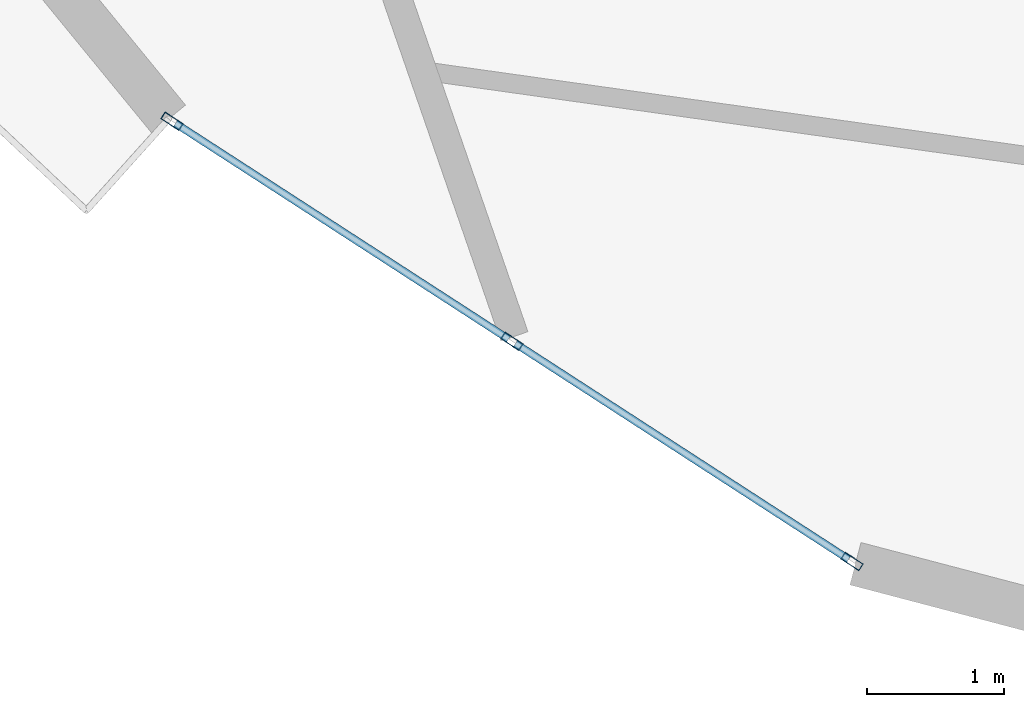
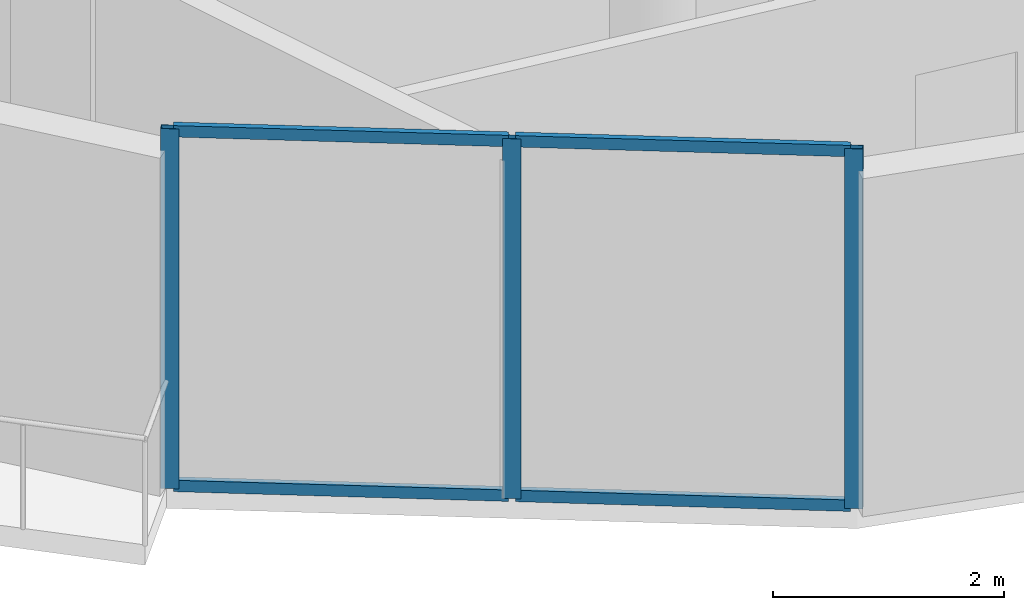
# One storey, part 2 of 17: 7 members, 1 element without a shape of its own.
"""IFC4 building model written with IfcOpenShell, lengths in metres."""

import ifcopenshell
import ifcopenshell.guid

model = None  # the IFC model being written
_history = None  # IfcOwnerHistory: only IFC2X3 demands one
_inside = {}  # id of a spatial element -> (the spatial element, [elements in it])
_under = {}  # id of a project, library or spatial element -> (it, [spatial elements below it])
_declared = {}  # id of a project -> (the project, [libraries it declares])
_typed = {}  # id of a type object -> (the type object, [elements of that type])
_made_of = {}  # id of a material, layer set ... -> (it, [elements and type objects made of it])


def new_model(schema):
    """Start an empty IFC model of exactly this schema.

    Asked for "IFC4X3", IfcOpenShell would pick the latest addendum, in which some entities
    have other attributes; the version numbers below select the first issue.
    IFC2X3 requires an IfcOwnerHistory on every rooted entity: one is made here for all.
    """
    global model, _history
    if schema == "IFC4X3":
        model = ifcopenshell.file(schema_version=(4, 3, 0, 0))
    else:
        model = ifcopenshell.file(schema=schema)
    _inside.clear()
    _under.clear()
    _declared.clear()
    _typed.clear()
    _made_of.clear()
    _history = None
    if model.schema == "IFC2X3":
        org = make("IfcOrganization", Name="unknown")
        user = make(
            "IfcPersonAndOrganization",
            ThePerson=make("IfcPerson", FamilyName="unknown"),
            TheOrganization=org,
        )
        app = make(
            "IfcApplication",
            ApplicationDeveloper=org,
            Version="unknown",
            ApplicationFullName="unknown",
            ApplicationIdentifier="unknown",
        )
        _history = make(
            "IfcOwnerHistory",
            OwningUser=user,
            OwningApplication=app,
            ChangeAction="ADDED",
            CreationDate=0,
        )
    return model


def make(cls, **values):
    """One entity of the class cls with the attributes given. An attribute that is None is left unset."""
    return model.create_entity(
        cls, **{name: value for name, value in values.items() if value is not None}
    )


def rooted(cls, **values):
    """An entity with a GlobalId (a new one), such as an element, a storey or a relation."""
    return make(cls, GlobalId=ifcopenshell.guid.new(), OwnerHistory=_history, **values)


def si_unit(unit_type, name, prefix=None):
    """IfcSIUnit, for example si_unit("LENGTHUNIT", "METRE", prefix="MILLI")."""
    return make("IfcSIUnit", UnitType=unit_type, Prefix=prefix, Name=name)


def assignment(units):
    """IfcUnitAssignment: the units of a project."""
    return None if units is None else make("IfcUnitAssignment", Units=units)


def point(xyz):
    """IfcCartesianPoint."""
    return None if xyz is None else make("IfcCartesianPoint", Coordinates=xyz)


def direction(xyz):
    """IfcDirection."""
    return None if xyz is None else make("IfcDirection", DirectionRatios=xyz)


def frame(location, z_axis=None, x_axis=None):
    """IfcAxis2Placement3D, a coordinate frame: its origin and axes. An axis left out is left unset."""
    return make(
        "IfcAxis2Placement3D",
        Location=point(location),
        Axis=direction(z_axis),
        RefDirection=direction(x_axis),
    )


def frame_2d(location, x_axis=None):
    """IfcAxis2Placement2D, a coordinate frame in the plane: its origin and x axis."""
    return make(
        "IfcAxis2Placement2D", Location=point(location), RefDirection=direction(x_axis)
    )


def origin():
    """The frame at (0, 0, 0) with its axes left unset."""
    return frame((0.0, 0.0, 0.0))


def origin_2d():
    """The frame at (0, 0) in the plane with its x axis left unset."""
    return frame_2d((0.0, 0.0))


def place(relative_to, where):
    """IfcLocalPlacement: puts the frame where relative to a parent placement (None: the world)."""
    return make(
        "IfcLocalPlacement", PlacementRelTo=relative_to, RelativePlacement=where
    )


def context(
    kind, dimensions, precision=None, world=None, true_north=None, identifier=None
):
    """IfcGeometricRepresentationContext, for example the 3D "Model" context."""
    return make(
        "IfcGeometricRepresentationContext",
        ContextIdentifier=identifier,
        ContextType=kind,
        CoordinateSpaceDimension=dimensions,
        Precision=precision,
        WorldCoordinateSystem=world,
        TrueNorth=true_north,
    )


def subcontext(parent, identifier, kind, view, scale=None):
    """IfcGeometricRepresentationSubContext, for example "Body" below "Model"."""
    return make(
        "IfcGeometricRepresentationSubContext",
        ContextIdentifier=identifier,
        ContextType=kind,
        ParentContext=parent,
        TargetScale=scale,
        TargetView=view,
    )


def project(units=None, contexts=None):
    """IfcProject with its units and contexts."""
    return rooted(
        "IfcProject",
        Name="project",
        RepresentationContexts=contexts,
        UnitsInContext=assignment(units),
    )


def spatial(cls, under=None, at=None, **own):
    """A site, building, storey or space (cls), placed at a placement, below another one or the project."""
    s = rooted(cls, ObjectPlacement=at, **own)
    if under is not None:
        _under.setdefault(under.id(), (under, []))[1].append(s)
    return s


def profile(cls, at=None, kind="AREA", **sizes):
    """A parametric profile (cls). Its sizes go by their IFC names, for example OverallWidth=200.0."""
    return make(cls, ProfileType=kind, Position=at, **sizes)


def hollow_rectangle(**sizes):
    """IfcRectangleHollowProfileDef."""
    return profile("IfcRectangleHollowProfileDef", **sizes)


def extrude(swept, where, along, depth):
    """IfcExtrudedAreaSolid: the profile swept, set in the frame where, extruded along a direction by depth."""
    return make(
        "IfcExtrudedAreaSolid",
        SweptArea=swept,
        Position=where,
        ExtrudedDirection=direction(along),
        Depth=depth,
    )


def shape(context_of_items, identifier, shape_type, items):
    """IfcShapeRepresentation: the items that make up one representation, for example the "Body"."""
    return make(
        "IfcShapeRepresentation",
        ContextOfItems=context_of_items,
        RepresentationIdentifier=identifier,
        RepresentationType=shape_type,
        Items=items,
    )


def source(mapping_origin, context_of_items, identifier, shape_type, items):
    """IfcRepresentationMap: a shape defined once, which mapped items show again and again."""
    return make(
        "IfcRepresentationMap",
        MappingOrigin=mapping_origin,
        MappedRepresentation=shape(context_of_items, identifier, shape_type, items),
    )


def transform(
    local_origin,
    x_axis=None,
    y_axis=None,
    z_axis=None,
    scale=None,
    scale2=None,
    scale3=None,
    uniform=True,
):
    """IfcCartesianTransformationOperator3D, or its non-uniform kind. x_axis, y_axis, z_axis: its Axis1, 2, 3."""
    if uniform:
        return make(
            "IfcCartesianTransformationOperator3D",
            Axis1=direction(x_axis),
            Axis2=direction(y_axis),
            LocalOrigin=point(local_origin),
            Scale=scale,
            Axis3=direction(z_axis),
        )
    return make(
        "IfcCartesianTransformationOperator3DnonUniform",
        Axis1=direction(x_axis),
        Axis2=direction(y_axis),
        LocalOrigin=point(local_origin),
        Scale=scale,
        Axis3=direction(z_axis),
        Scale2=scale2,
        Scale3=scale3,
    )


def mapped(mapping_source, mapping_target):
    """IfcMappedItem: shows the shape of a source again, moved by a transform."""
    return make(
        "IfcMappedItem", MappingSource=mapping_source, MappingTarget=mapping_target
    )


def material(Name=None, Category=None):
    """IfcMaterial."""
    return make("IfcMaterial", Name=Name, Category=Category)


def layer(
    of_material, thickness, ventilated=None, Name=None, Category=None, Priority=None
):
    """IfcMaterialLayer: one layer of a wall or slab, of a material (None: an air gap)."""
    return make(
        "IfcMaterialLayer",
        Material=of_material,
        LayerThickness=thickness,
        IsVentilated=ventilated,
        Name=Name,
        Category=Category,
        Priority=Priority,
    )


def layer_set(layers, Name=None):
    """IfcMaterialLayerSet."""
    return make("IfcMaterialLayerSet", MaterialLayers=layers, LayerSetName=Name)


def material_profile(
    of_material, cross_section, Name=None, Category=None, Priority=None
):
    """IfcMaterialProfile: a cross section and its material."""
    return make(
        "IfcMaterialProfile",
        Name=Name,
        Material=of_material,
        Profile=cross_section,
        Priority=Priority,
        Category=Category,
    )


def profile_set(profiles, Name=None, composite=None):
    """IfcMaterialProfileSet."""
    return make(
        "IfcMaterialProfileSet",
        Name=Name,
        MaterialProfiles=profiles,
        CompositeProfile=composite,
    )


def made_of(thing, what):
    """Note that an element or type object is made of a material, layer set ...; save() writes the relation."""
    if what is not None:
        _made_of.setdefault(what.id(), (what, []))[1].append(thing)
    return thing


def type_object(cls, material=None, **own):
    """A type object (cls), such as IfcWallType, which elements share."""
    return made_of(rooted(cls, **own), material)


def element(
    cls,
    number,
    at=None,
    inside=None,
    cuts=None,
    type_object=None,
    material=None,
    context=None,
    identifier="Body",
    shape_type=None,
    held_by="IfcProductDefinitionShape",
    body=None,
    shapes=None,
    **own,
):
    """One element of the class cls, such as IfcWall. Its Tag is "e" and its number.

    at: its placement. inside: the storey or other place that contains it. cuts: it is an
    opening in that element (IfcRelVoidsElement). A single representation is given by context,
    identifier, shape_type and body (its items); several are given by shapes. held_by: the class
    of the entity that holds the representations. save() writes the other relations.
    """
    e = rooted(cls, Tag="e%d" % number, ObjectPlacement=at, **own)
    if body is not None:
        shapes = [shape(context, identifier, shape_type, body)]
    if shapes is not None:
        e.Representation = make(held_by, Representations=shapes)
    if inside is not None:
        _inside.setdefault(inside.id(), (inside, []))[1].append(e)
    if cuts is not None:
        rooted(
            "IfcRelVoidsElement", RelatingBuildingElement=cuts, RelatedOpeningElement=e
        )
    if type_object is not None:
        _typed.setdefault(type_object.id(), (type_object, []))[1].append(e)
    return made_of(e, material)


def aggregate(whole, parts):
    """IfcRelAggregates: a whole, such as a stair, and the parts it consists of."""
    return rooted("IfcRelAggregates", RelatingObject=whole, RelatedObjects=parts)


def save(model, path):
    """Write the relations noted so far, then the file.

    IfcRelAggregates (storeys below a building ...), IfcRelContainedInSpatialStructure (elements
    in a storey), IfcRelDefinesByType, IfcRelAssociatesMaterial and IfcRelDeclares: one each for
    every whole, place, type object, material and project.
    """
    for whole, parts in _under.values():
        aggregate(whole, parts)
    for where, things in _inside.values():
        rooted(
            "IfcRelContainedInSpatialStructure",
            RelatedElements=things,
            RelatingStructure=where,
        )
    for kind, things in _typed.values():
        rooted("IfcRelDefinesByType", RelatedObjects=things, RelatingType=kind)
    for what, things in _made_of.values():
        rooted("IfcRelAssociatesMaterial", RelatedObjects=things, RelatingMaterial=what)
    for by, libraries in _declared.values():
        rooted("IfcRelDeclares", RelatingContext=by, RelatedDefinitions=libraries)
    model.write(path)


model = new_model("IFC4")

# Units and contexts
model_context = context("Model", 3, precision=1e-05, world=origin(), true_north=direction((0.0, 1.0)))
body_context = subcontext(model_context, "Body", "Model", "MODEL_VIEW")
ifc_project = project(units=[si_unit("LENGTHUNIT", "METRE"), si_unit("AREAUNIT", "SQUARE_METRE"), si_unit("VOLUMEUNIT", "CUBIC_METRE"), si_unit("PLANEANGLEUNIT", "RADIAN"), si_unit("MASSUNIT", "GRAM", prefix="KILO")], contexts=[model_context])

# Site, building, storey
site_placement = place(None, origin())
site = spatial("IfcSite", under=ifc_project, at=site_placement, CompositionType="ELEMENT")
building_placement = place(site_placement, origin())
building = spatial("IfcBuilding", under=site, at=building_placement, Name="Solvirekh Grand Hotel", CompositionType="ELEMENT")
storey_placement = place(building_placement, frame((0.0, 0.0, 246.800048828125)))
storey = spatial("IfcBuildingStorey", under=building, at=storey_placement, Name="L64", CompositionType="ELEMENT", Elevation=246.800048828125)

# Curtain wall, members
ifc_material = material(Name="Anodized Bronze Aluminium 6063-T6", Category="aluminium")
ifc_layer = layer(ifc_material, 0.159912109375)
ifc_layer_set = layer_set([ifc_layer], Name="Anodized Bronze Aluminium 6063-T6")
curtain_wall_type = type_object("IfcCurtainWallType", Name="CW_Sys4_HighZoneFlushBronzeCW", PredefinedType="NOTDEFINED", material=ifc_layer_set)
curtain_wall_placement = place(storey_placement, origin())
curtain_wall = element("IfcCurtainWall", 1, at=curtain_wall_placement, inside=storey, type_object=curtain_wall_type, Name="L64 unitised bronze-glass curtain wall CW-L64-C18", PredefinedType="NOTDEFINED")
ifc_material_profile_1 = material_profile(ifc_material, hollow_rectangle(XDim=0.06005859375, YDim=0.159912109375, WallThickness=0.0048828125, at=origin_2d()), Name="ALU RHS 160X60X5")
ifc_profile_set_1 = profile_set([ifc_material_profile_1], Name="Anodized Bronze Aluminium 6063-T6")
member_type_1 = type_object("IfcMemberType", Name="CWMullion_Sys4", PredefinedType="MULLION", material=ifc_profile_set_1)
shared_shape_1 = source(origin(), body_context, "Body", "SweptSolid", [
    extrude(hollow_rectangle(XDim=0.06005859375, YDim=0.159912109375, WallThickness=0.0048828125, at=origin_2d()), origin(), (0.0, 0.0, 1.0), 3.800048828125),
])
member_1_placement = place(storey_placement, frame((-13.27587890625, -14.639404296875, 0.0), z_axis=(0.0, 0.0, 1.0), x_axis=(0.543507576279, 0.839404261681, 0.0)))
member_1 = element("IfcMember", 2, at=member_1_placement, type_object=member_type_1, Name="U04 mullion 1", PredefinedType="MULLION", context=body_context, shape_type="MappedRepresentation", body=[
    mapped(shared_shape_1, transform((0.0, 0.0, 0.0), x_axis=(1.0, 0.0, 0.0), y_axis=(0.0, 1.0, 0.0), z_axis=(0.0, 0.0, 1.0), scale=1.0)),
])
member_2_placement = place(storey_placement, frame((-10.7890625, -16.24951171875, 0.0), z_axis=(0.0, 0.0, 1.0), x_axis=(0.543507576279, 0.839404261681, 0.0)))
member_2 = element("IfcMember", 3, at=member_2_placement, type_object=member_type_1, Name="U04 mullion 2", PredefinedType="MULLION", context=body_context, shape_type="MappedRepresentation", body=[
    mapped(shared_shape_1, transform((0.0, 0.0, 0.0), x_axis=(1.0, 0.0, 0.0), y_axis=(0.0, 1.0, 0.0), z_axis=(0.0, 0.0, 1.0), scale=1.0)),
])
member_3_placement = place(storey_placement, frame((-8.30224609375, -17.859619140625, 0.0), z_axis=(0.0, 0.0, 1.0), x_axis=(0.543507576279, 0.839404261681, 0.0)))
member_3 = element("IfcMember", 4, at=member_3_placement, type_object=member_type_1, Name="U04 mullion 3", PredefinedType="MULLION", context=body_context, shape_type="MappedRepresentation", body=[
    mapped(shared_shape_1, transform((0.0, 0.0, 0.0), x_axis=(1.0, 0.0, 0.0), y_axis=(0.0, 1.0, 0.0), z_axis=(0.0, 0.0, 1.0), scale=1.0)),
])
ifc_material_profile_2 = material_profile(ifc_material, hollow_rectangle(XDim=0.054931640625, YDim=0.1201171875, WallThickness=0.00390625, at=origin_2d()), Name="ALU RHS 120X55X4")
ifc_profile_set_2 = profile_set([ifc_material_profile_2], Name="Anodized Bronze Aluminium 6063-T6")
member_type_2 = type_object("IfcMemberType", Name="CWTransom_Sys4", PredefinedType="USERDEFINED", material=ifc_profile_set_2)
shared_shape_2 = source(origin(), body_context, "Body", "SweptSolid", [
    extrude(hollow_rectangle(XDim=0.054931640625, YDim=0.1201171875, WallThickness=0.00390625, at=origin_2d()), origin(), (0.0, 0.0, 1.0), 2.902587890625),
])
member_4_placement = place(storey_placement, frame((-13.250732421875, -14.655517578125, 0.02734375), z_axis=(0.839403131285, -0.543509322081, 0.0), x_axis=(0.543509322081, 0.839403131285, 0.0)))
member_4 = element("IfcMember", 5, at=member_4_placement, type_object=member_type_2, Name="U04 transom 1.1", ObjectType="TRANSOM", PredefinedType="USERDEFINED", context=body_context, shape_type="MappedRepresentation", body=[
    mapped(shared_shape_2, transform((0.0, 0.0, 0.0), x_axis=(1.0, 0.0, 0.0), y_axis=(0.0, 1.0, 0.0), z_axis=(0.0, 0.0, 1.0), scale=1.0)),
])
member_5_placement = place(storey_placement, frame((-13.250732421875, -14.655517578125, 3.7724609375), z_axis=(0.839403131285, -0.543509322081, 0.0), x_axis=(0.543509322081, 0.839403131285, 0.0)))
member_5 = element("IfcMember", 6, at=member_5_placement, type_object=member_type_2, Name="U04 transom 1.2", ObjectType="TRANSOM", PredefinedType="USERDEFINED", context=body_context, shape_type="MappedRepresentation", body=[
    mapped(shared_shape_2, transform((0.0, 0.0, 0.0), x_axis=(1.0, 0.0, 0.0), y_axis=(0.0, 1.0, 0.0), z_axis=(0.0, 0.0, 1.0), scale=1.0)),
])
member_6_placement = place(storey_placement, frame((-10.763916015625, -16.265869140625, 0.02734375), z_axis=(0.839403131285, -0.543509322081, 0.0), x_axis=(0.543509322081, 0.839403131285, 0.0)))
member_6 = element("IfcMember", 7, at=member_6_placement, type_object=member_type_2, Name="U04 transom 2.1", ObjectType="TRANSOM", PredefinedType="USERDEFINED", context=body_context, shape_type="MappedRepresentation", body=[
    mapped(shared_shape_2, transform((0.0, 0.0, 0.0), x_axis=(1.0, 0.0, 0.0), y_axis=(0.0, 1.0, 0.0), z_axis=(0.0, 0.0, 1.0), scale=1.0)),
])
member_7_placement = place(storey_placement, frame((-10.763916015625, -16.265869140625, 3.7724609375), z_axis=(0.839403131285, -0.543509322081, 0.0), x_axis=(0.543509322081, 0.839403131285, 0.0)))
member_7 = element("IfcMember", 8, at=member_7_placement, type_object=member_type_2, Name="U04 transom 2.2", ObjectType="TRANSOM", PredefinedType="USERDEFINED", context=body_context, shape_type="MappedRepresentation", body=[
    mapped(shared_shape_2, transform((0.0, 0.0, 0.0), x_axis=(1.0, 0.0, 0.0), y_axis=(0.0, 1.0, 0.0), z_axis=(0.0, 0.0, 1.0), scale=1.0)),
])
aggregate(curtain_wall, [member_1, member_2, member_3, member_4, member_5, member_6, member_7])

save(model, "model.ifc")
